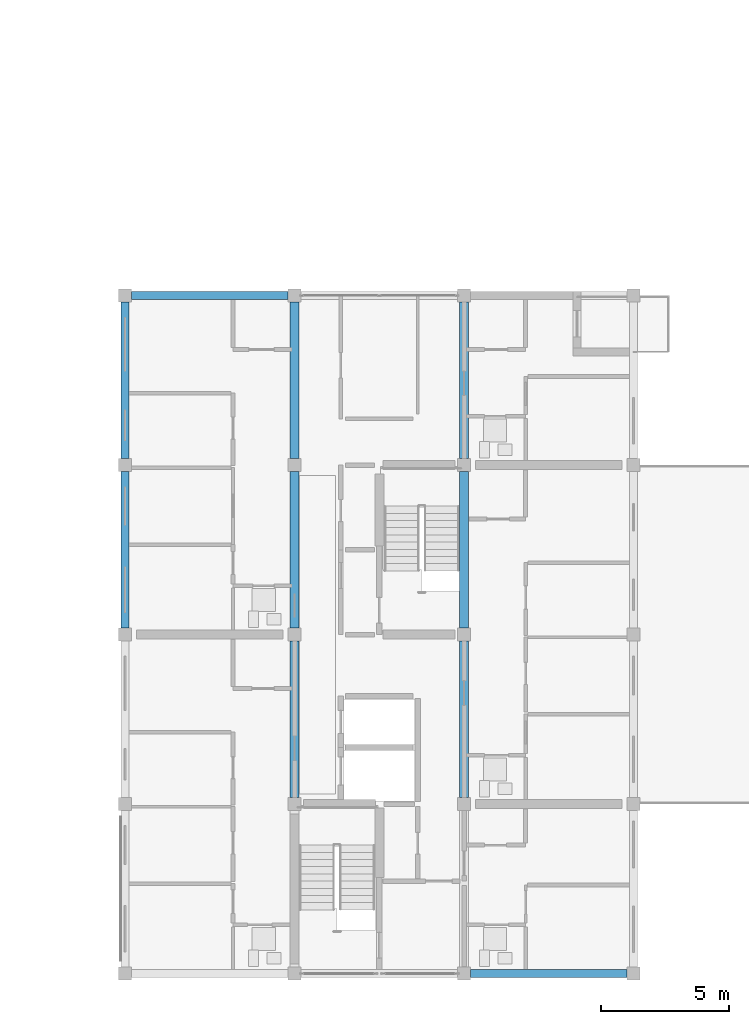
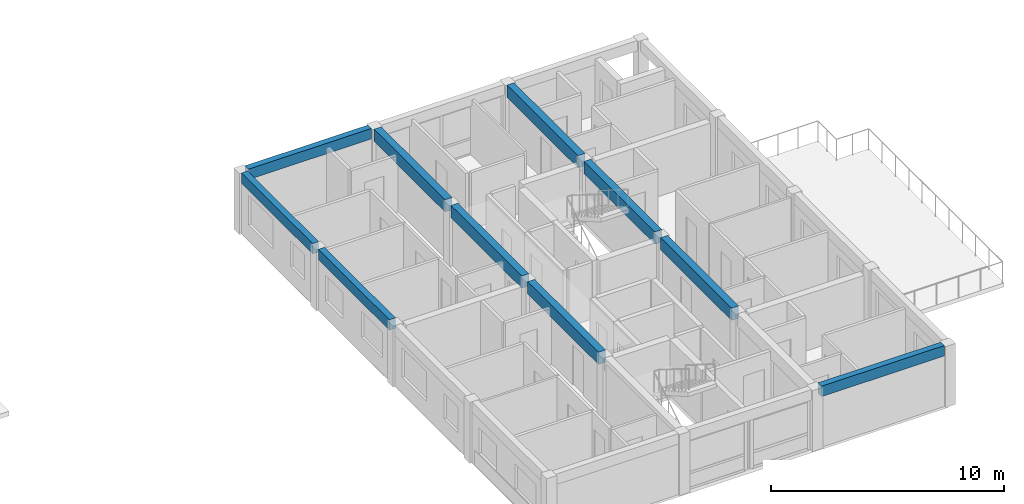
# One storey, part 12 of 51: 10 beams.
"""IFC4 building model written with IfcOpenShell, lengths in metres."""

import ifcopenshell
import ifcopenshell.guid

model = None  # the IFC model being written
_history = None  # IfcOwnerHistory: only IFC2X3 demands one
_inside = {}  # id of a spatial element -> (the spatial element, [elements in it])
_under = {}  # id of a project, library or spatial element -> (it, [spatial elements below it])
_declared = {}  # id of a project -> (the project, [libraries it declares])
_typed = {}  # id of a type object -> (the type object, [elements of that type])
_made_of = {}  # id of a material, layer set ... -> (it, [elements and type objects made of it])


def new_model(schema):
    """Start an empty IFC model of exactly this schema.

    Asked for "IFC4X3", IfcOpenShell would pick the latest addendum, in which some entities
    have other attributes; the version numbers below select the first issue.
    IFC2X3 requires an IfcOwnerHistory on every rooted entity: one is made here for all.
    """
    global model, _history
    if schema == "IFC4X3":
        model = ifcopenshell.file(schema_version=(4, 3, 0, 0))
    else:
        model = ifcopenshell.file(schema=schema)
    _inside.clear()
    _under.clear()
    _declared.clear()
    _typed.clear()
    _made_of.clear()
    _history = None
    if model.schema == "IFC2X3":
        org = make("IfcOrganization", Name="unknown")
        user = make(
            "IfcPersonAndOrganization",
            ThePerson=make("IfcPerson", FamilyName="unknown"),
            TheOrganization=org,
        )
        app = make(
            "IfcApplication",
            ApplicationDeveloper=org,
            Version="unknown",
            ApplicationFullName="unknown",
            ApplicationIdentifier="unknown",
        )
        _history = make(
            "IfcOwnerHistory",
            OwningUser=user,
            OwningApplication=app,
            ChangeAction="ADDED",
            CreationDate=0,
        )
    return model


def make(cls, **values):
    """One entity of the class cls with the attributes given. An attribute that is None is left unset."""
    return model.create_entity(
        cls, **{name: value for name, value in values.items() if value is not None}
    )


def rooted(cls, **values):
    """An entity with a GlobalId (a new one), such as an element, a storey or a relation."""
    return make(cls, GlobalId=ifcopenshell.guid.new(), OwnerHistory=_history, **values)


def si_unit(unit_type, name, prefix=None):
    """IfcSIUnit, for example si_unit("LENGTHUNIT", "METRE", prefix="MILLI")."""
    return make("IfcSIUnit", UnitType=unit_type, Prefix=prefix, Name=name)


def assignment(units):
    """IfcUnitAssignment: the units of a project."""
    return None if units is None else make("IfcUnitAssignment", Units=units)


def point(xyz):
    """IfcCartesianPoint."""
    return None if xyz is None else make("IfcCartesianPoint", Coordinates=xyz)


def direction(xyz):
    """IfcDirection."""
    return None if xyz is None else make("IfcDirection", DirectionRatios=xyz)


def frame(location, z_axis=None, x_axis=None):
    """IfcAxis2Placement3D, a coordinate frame: its origin and axes. An axis left out is left unset."""
    return make(
        "IfcAxis2Placement3D",
        Location=point(location),
        Axis=direction(z_axis),
        RefDirection=direction(x_axis),
    )


def frame_2d(location, x_axis=None):
    """IfcAxis2Placement2D, a coordinate frame in the plane: its origin and x axis."""
    return make(
        "IfcAxis2Placement2D", Location=point(location), RefDirection=direction(x_axis)
    )


def origin():
    """The frame at (0, 0, 0) with its axes left unset."""
    return frame((0.0, 0.0, 0.0))


def origin_2d():
    """The frame at (0, 0) in the plane with its x axis left unset."""
    return frame_2d((0.0, 0.0))


def place(relative_to, where):
    """IfcLocalPlacement: puts the frame where relative to a parent placement (None: the world)."""
    return make(
        "IfcLocalPlacement", PlacementRelTo=relative_to, RelativePlacement=where
    )


def context(
    kind, dimensions, precision=None, world=None, true_north=None, identifier=None
):
    """IfcGeometricRepresentationContext, for example the 3D "Model" context."""
    return make(
        "IfcGeometricRepresentationContext",
        ContextIdentifier=identifier,
        ContextType=kind,
        CoordinateSpaceDimension=dimensions,
        Precision=precision,
        WorldCoordinateSystem=world,
        TrueNorth=true_north,
    )


def subcontext(parent, identifier, kind, view, scale=None):
    """IfcGeometricRepresentationSubContext, for example "Body" below "Model"."""
    return make(
        "IfcGeometricRepresentationSubContext",
        ContextIdentifier=identifier,
        ContextType=kind,
        ParentContext=parent,
        TargetScale=scale,
        TargetView=view,
    )


def project(units=None, contexts=None):
    """IfcProject with its units and contexts."""
    return rooted(
        "IfcProject",
        Name="project",
        RepresentationContexts=contexts,
        UnitsInContext=assignment(units),
    )


def spatial(cls, under=None, at=None, **own):
    """A site, building, storey or space (cls), placed at a placement, below another one or the project."""
    s = rooted(cls, ObjectPlacement=at, **own)
    if under is not None:
        _under.setdefault(under.id(), (under, []))[1].append(s)
    return s


def profile(cls, at=None, kind="AREA", **sizes):
    """A parametric profile (cls). Its sizes go by their IFC names, for example OverallWidth=200.0."""
    return make(cls, ProfileType=kind, Position=at, **sizes)


def rectangle(**sizes):
    """IfcRectangleProfileDef."""
    return profile("IfcRectangleProfileDef", **sizes)


def extrude(swept, where, along, depth):
    """IfcExtrudedAreaSolid: the profile swept, set in the frame where, extruded along a direction by depth."""
    return make(
        "IfcExtrudedAreaSolid",
        SweptArea=swept,
        Position=where,
        ExtrudedDirection=direction(along),
        Depth=depth,
    )


def shape(context_of_items, identifier, shape_type, items):
    """IfcShapeRepresentation: the items that make up one representation, for example the "Body"."""
    return make(
        "IfcShapeRepresentation",
        ContextOfItems=context_of_items,
        RepresentationIdentifier=identifier,
        RepresentationType=shape_type,
        Items=items,
    )


def material(Name=None, Category=None):
    """IfcMaterial."""
    return make("IfcMaterial", Name=Name, Category=Category)


def material_profile(
    of_material, cross_section, Name=None, Category=None, Priority=None
):
    """IfcMaterialProfile: a cross section and its material."""
    return make(
        "IfcMaterialProfile",
        Name=Name,
        Material=of_material,
        Profile=cross_section,
        Priority=Priority,
        Category=Category,
    )


def profile_set(profiles, Name=None, composite=None):
    """IfcMaterialProfileSet."""
    return make(
        "IfcMaterialProfileSet",
        Name=Name,
        MaterialProfiles=profiles,
        CompositeProfile=composite,
    )


def made_of(thing, what):
    """Note that an element or type object is made of a material, layer set ...; save() writes the relation."""
    if what is not None:
        _made_of.setdefault(what.id(), (what, []))[1].append(thing)
    return thing


def type_object(cls, material=None, **own):
    """A type object (cls), such as IfcWallType, which elements share."""
    return made_of(rooted(cls, **own), material)


def element(
    cls,
    number,
    at=None,
    inside=None,
    cuts=None,
    type_object=None,
    material=None,
    context=None,
    identifier="Body",
    shape_type=None,
    held_by="IfcProductDefinitionShape",
    body=None,
    shapes=None,
    **own,
):
    """One element of the class cls, such as IfcWall. Its Tag is "e" and its number.

    at: its placement. inside: the storey or other place that contains it. cuts: it is an
    opening in that element (IfcRelVoidsElement). A single representation is given by context,
    identifier, shape_type and body (its items); several are given by shapes. held_by: the class
    of the entity that holds the representations. save() writes the other relations.
    """
    e = rooted(cls, Tag="e%d" % number, ObjectPlacement=at, **own)
    if body is not None:
        shapes = [shape(context, identifier, shape_type, body)]
    if shapes is not None:
        e.Representation = make(held_by, Representations=shapes)
    if inside is not None:
        _inside.setdefault(inside.id(), (inside, []))[1].append(e)
    if cuts is not None:
        rooted(
            "IfcRelVoidsElement", RelatingBuildingElement=cuts, RelatedOpeningElement=e
        )
    if type_object is not None:
        _typed.setdefault(type_object.id(), (type_object, []))[1].append(e)
    return made_of(e, material)


def aggregate(whole, parts):
    """IfcRelAggregates: a whole, such as a stair, and the parts it consists of."""
    return rooted("IfcRelAggregates", RelatingObject=whole, RelatedObjects=parts)


def save(model, path):
    """Write the relations noted so far, then the file.

    IfcRelAggregates (storeys below a building ...), IfcRelContainedInSpatialStructure (elements
    in a storey), IfcRelDefinesByType, IfcRelAssociatesMaterial and IfcRelDeclares: one each for
    every whole, place, type object, material and project.
    """
    for whole, parts in _under.values():
        aggregate(whole, parts)
    for where, things in _inside.values():
        rooted(
            "IfcRelContainedInSpatialStructure",
            RelatedElements=things,
            RelatingStructure=where,
        )
    for kind, things in _typed.values():
        rooted("IfcRelDefinesByType", RelatedObjects=things, RelatingType=kind)
    for what, things in _made_of.values():
        rooted("IfcRelAssociatesMaterial", RelatedObjects=things, RelatingMaterial=what)
    for by, libraries in _declared.values():
        rooted("IfcRelDeclares", RelatingContext=by, RelatedDefinitions=libraries)
    model.write(path)


model = new_model("IFC4")

# Units and contexts
model_context = context("Model", 3, precision=1e-05, world=origin(), true_north=direction((0.0, 1.0)))
body_context = subcontext(model_context, "Body", "Model", "MODEL_VIEW")
ifc_project = project(units=[si_unit("LENGTHUNIT", "METRE"), si_unit("AREAUNIT", "SQUARE_METRE"), si_unit("VOLUMEUNIT", "CUBIC_METRE"), si_unit("PLANEANGLEUNIT", "RADIAN"), si_unit("MASSUNIT", "GRAM", prefix="KILO")], contexts=[model_context])

# Site, building, storey
site_placement = place(None, origin())
site = spatial("IfcSite", under=ifc_project, at=site_placement, CompositionType="ELEMENT")
building_placement = place(site_placement, origin())
building = spatial("IfcBuilding", under=site, at=building_placement, Name="Kernevlak Ridge Housing Community", CompositionType="ELEMENT")
storey_placement = place(building_placement, frame((0.0, 0.0, 8.39990234375)))
storey = spatial("IfcBuildingStorey", under=building, at=storey_placement, Name="L02", CompositionType="ELEMENT", Elevation=8.39990234375)

# Beams
ifc_material = material(Name="Concrete C35/45", Category="concrete")
ifc_material_profile_1 = material_profile(ifc_material, rectangle(XDim=0.35009765625, YDim=0.64990234375, at=origin_2d()), Name="RC 350x650")
ifc_profile_set_1 = profile_set([ifc_material_profile_1], Name="Concrete C35/45")
beam_type_1 = type_object("IfcBeamType", Name="B-02", PredefinedType="BEAM", material=ifc_profile_set_1)
beam_1_placement = place(storey_placement, frame((132.60009765625, 22.449951171875, 2.875), z_axis=(0.0, 1.0, 0.0), x_axis=(-1.0, 0.0, 0.0)))
element("IfcBeam", 1, at=beam_1_placement, inside=storey, type_object=beam_type_1, Name="Beam B-02 L02 1051", PredefinedType="BEAM", context=body_context, shape_type="SweptSolid", body=[
    extrude(rectangle(XDim=0.35009765625, YDim=0.64990234375, at=origin_2d()), origin(), (0.0, 0.0, 1.0), 6.10009765625),
])
beam_2_placement = place(storey_placement, frame((132.60009765625, 29.050048828125, 2.875), z_axis=(0.0, 1.0, 0.0), x_axis=(-1.0, 0.0, 0.0)))
element("IfcBeam", 2, at=beam_2_placement, inside=storey, type_object=beam_type_1, Name="Beam B-02 L02 1052", PredefinedType="BEAM", context=body_context, shape_type="SweptSolid", body=[
    extrude(rectangle(XDim=0.35009765625, YDim=0.64990234375, at=origin_2d()), origin(), (0.0, 0.0, 1.0), 6.099853515625),
])
for number, where, z_axis, x_axis, name in (
    (3, (132.60009765625, 35.64990234375, 2.875), (0.0, 1.0, 0.0), (-1.0, 0.0, 0.0), "Beam B-02 L02 1053"),
    (4, (139.199951171875, 22.449951171875, 2.875), (0.0, 1.0, 0.0), (-1.0, 0.0, 0.0), "Beam B-02 L02 1055"),
):
    element("IfcBeam", number, at=place(storey_placement, frame(where, z_axis=z_axis, x_axis=x_axis)), inside=storey, type_object=beam_type_1, Name=name, PredefinedType="BEAM", context=body_context, shape_type="SweptSolid", body=[
        extrude(rectangle(XDim=0.35009765625, YDim=0.64990234375, at=origin_2d()), origin(), (0.0, 0.0, 1.0), 6.10009765625),
    ])
beam_3_placement = place(storey_placement, frame((139.199951171875, 29.050048828125, 2.875), z_axis=(0.0, 1.0, 0.0), x_axis=(-1.0, 0.0, 0.0)))
element("IfcBeam", 5, at=beam_3_placement, inside=storey, type_object=beam_type_1, Name="Beam B-02 L02 1056", PredefinedType="BEAM", context=body_context, shape_type="SweptSolid", body=[
    extrude(rectangle(XDim=0.35009765625, YDim=0.64990234375, at=origin_2d()), origin(), (0.0, 0.0, 1.0), 6.099853515625),
])
beam_4_placement = place(storey_placement, frame((139.199951171875, 35.64990234375, 2.875), z_axis=(0.0, 1.0, 0.0), x_axis=(-1.0, 0.0, 0.0)))
element("IfcBeam", 6, at=beam_4_placement, inside=storey, type_object=beam_type_1, Name="Beam B-02 L02 1057", PredefinedType="BEAM", context=body_context, shape_type="SweptSolid", body=[
    extrude(rectangle(XDim=0.35009765625, YDim=0.64990234375, at=origin_2d()), origin(), (0.0, 0.0, 1.0), 6.10009765625),
])
ifc_material_profile_2 = material_profile(ifc_material, rectangle(XDim=0.300048828125, YDim=0.550048828125, at=origin_2d()), Name="RC 300x550")
ifc_profile_set_2 = profile_set([ifc_material_profile_2], Name="Concrete C35/45")
beam_type_2 = type_object("IfcBeamType", Name="SP-01", PredefinedType="SPANDREL", material=ifc_profile_set_2)
beam_5_placement = place(storey_placement, frame((126.0, 29.050048828125, 2.925048828125), z_axis=(0.0, 1.0, 0.0), x_axis=(-1.0, 0.0, 0.0)))
element("IfcBeam", 7, at=beam_5_placement, inside=storey, type_object=beam_type_2, Name="Beam SP-01 L02 1048", PredefinedType="SPANDREL", context=body_context, shape_type="SweptSolid", body=[
    extrude(rectangle(XDim=0.300048828125, YDim=0.550048828125, at=origin_2d()), origin(), (0.0, 0.0, 1.0), 6.099853515625),
])
for number, where, z_axis, x_axis, name in (
    (8, (126.0, 35.64990234375, 2.925048828125), (0.0, 1.0, 0.0), (-1.0, 0.0, 0.0), "Beam SP-01 L02 1049"),
    (9, (139.449951171875, 15.60009765625, 2.925048828125), (1.0, 0.0, 0.0), (0.0, 1.0, 0.0), "Beam SP-01 L02 1064"),
    (10, (126.25, 42.0, 2.925048828125), (1.0, 0.0, 0.0), (0.0, 1.0, 0.0), "Beam SP-01 L02 1065"),
):
    element("IfcBeam", number, at=place(storey_placement, frame(where, z_axis=z_axis, x_axis=x_axis)), inside=storey, type_object=beam_type_2, Name=name, PredefinedType="SPANDREL", context=body_context, shape_type="SweptSolid", body=[
        extrude(rectangle(XDim=0.300048828125, YDim=0.550048828125, at=origin_2d()), origin(), (0.0, 0.0, 1.0), 6.10009765625),
    ])

save(model, "model.ifc")
